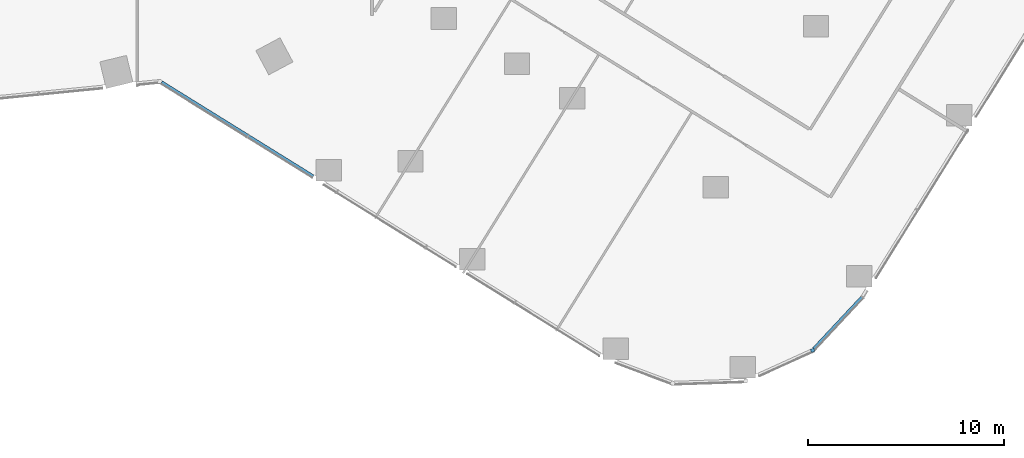
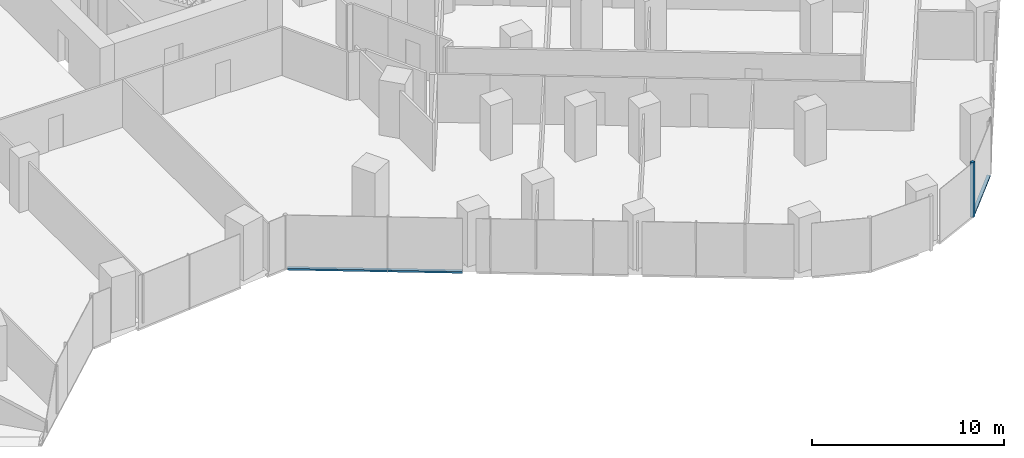
# One storey, part 8 of 34: 3 members, 3 elements without a shape of their own.
"""IFC4 building model written with IfcOpenShell, lengths in metres."""

from ifc_helpers import new_model, si_unit, direction, frame, origin, origin_2d, place, context, subcontext, project, spatial, rectangle, extrude, material, material_profile, profile_set, type_object, element, aggregate, save


model = new_model("IFC4")

# Units and contexts
model_context = context("Model", 3, precision=1e-05, world=origin(), true_north=direction((0.0, 1.0)))
body_context = subcontext(model_context, "Body", "Model", "MODEL_VIEW")
ifc_project = project(units=[si_unit("LENGTHUNIT", "METRE"), si_unit("AREAUNIT", "SQUARE_METRE"), si_unit("VOLUMEUNIT", "CUBIC_METRE"), si_unit("PLANEANGLEUNIT", "RADIAN"), si_unit("MASSUNIT", "GRAM", prefix="KILO")], contexts=[model_context])

# Site, building, storey
site_placement = place(None, origin())
site = spatial("IfcSite", under=ifc_project, at=site_placement, CompositionType="ELEMENT")
building_placement = place(site_placement, origin())
building = spatial("IfcBuilding", under=site, at=building_placement, Name="Orlundy Tower", CompositionType="ELEMENT")
storey_placement = place(building_placement, frame((0.0, 0.0, 44.300048828125)))
storey = spatial("IfcBuildingStorey", under=building, at=storey_placement, Name="L09", CompositionType="ELEMENT", Elevation=44.300048828125)

# Curtain wall, member
ifc_material_1 = material(Name="Aluminium bronze anodised", Category="aluminium")
curtain_wall_type = type_object("IfcCurtainWallType", Name="CW1 wall", PredefinedType="NOTDEFINED", material=ifc_material_1)
curtain_wall_1_placement = place(storey_placement, origin())
curtain_wall_1 = element("IfcCurtainWall", 1, at=curtain_wall_1_placement, inside=storey, type_object=curtain_wall_type, Name="CW1 run 013", PredefinedType="NOTDEFINED")
ifc_material_2 = material(Name="Aluminium bronze anodised", Category="aluminium")
ifc_material_profile_1 = material_profile(ifc_material_2, rectangle(XDim=0.179931640625, YDim=0.179931640625, at=origin_2d()), Name="CW1 corner post 180x180")
ifc_profile_set_1 = profile_set([ifc_material_profile_1], Name="Aluminium bronze anodised")
member_type_1 = type_object("IfcMemberType", Name="CW1 corner post 180x180", PredefinedType="MULLION", material=ifc_profile_set_1)
member_1_placement = place(storey_placement, frame((42.533447265625, -43.08544921875, -0.420166015625), z_axis=(0.0, 0.0, 1.0), x_axis=(0.413335357608, -0.91057887201, 0.0)))
member_1 = element("IfcMember", 2, at=member_1_placement, type_object=member_type_1, Name="CW1 mullion 41", PredefinedType="MULLION", context=body_context, shape_type="SweptSolid", body=[
    extrude(rectangle(XDim=0.179931640625, YDim=0.179931640625, at=origin_2d()), origin(), (0.0, 0.0, 1.0), 3.5),
])
aggregate(curtain_wall_1, [member_1])

curtain_wall_2_placement = place(storey_placement, origin())
curtain_wall_2 = element("IfcCurtainWall", 3, at=curtain_wall_2_placement, inside=storey, type_object=curtain_wall_type, Name="CW1 run 012", PredefinedType="NOTDEFINED")
ifc_material_3 = material(Name="Aluminium bronze anodised", Category="aluminium")
ifc_material_profile_2 = material_profile(ifc_material_3, rectangle(XDim=0.179931640625, YDim=0.1201171875, at=origin_2d()), Name="CW1 transom 180x120")
ifc_profile_set_2 = profile_set([ifc_material_profile_2], Name="Aluminium bronze anodised")
member_type_2 = type_object("IfcMemberType", Name="CW1 transom 180x120", PredefinedType="USERDEFINED", material=ifc_profile_set_2)
member_2_placement = place(storey_placement, frame((45.066650390625, -40.37744140625, -0.360107421875), z_axis=(-0.683115252824, -0.730310585545, 0.0), x_axis=(0.730310585545, -0.683115252824, 0.0)))
member_2 = element("IfcMember", 4, at=member_2_placement, type_object=member_type_2, Name="CW1 transom", ObjectType="TRANSOM", PredefinedType="USERDEFINED", context=body_context, shape_type="SweptSolid", body=[
    extrude(rectangle(XDim=0.179931640625, YDim=0.1201171875, at=origin_2d()), origin(), (0.0, 0.0, 1.0), 3.61083984375),
])
aggregate(curtain_wall_2, [member_2])

curtain_wall_3_placement = place(storey_placement, origin())
curtain_wall_3 = element("IfcCurtainWall", 5, at=curtain_wall_3_placement, inside=storey, type_object=curtain_wall_type, Name="CW1 run 016", PredefinedType="NOTDEFINED")
member_3_placement = place(storey_placement, frame((17.00390625, -34.203369140625, -0.360107421875), z_axis=(-0.849588913477, 0.527445426653, 0.0), x_axis=(-0.527445426653, -0.849588913477, 0.0)))
member_3 = element("IfcMember", 6, at=member_3_placement, type_object=member_type_2, Name="CW1 transom", ObjectType="TRANSOM", PredefinedType="USERDEFINED", context=body_context, shape_type="SweptSolid", body=[
    extrude(rectangle(XDim=0.179931640625, YDim=0.1201171875, at=origin_2d()), origin(), (0.0, 0.0, 1.0), 9.126953125),
])
aggregate(curtain_wall_3, [member_3])

save(model, "model.ifc")
